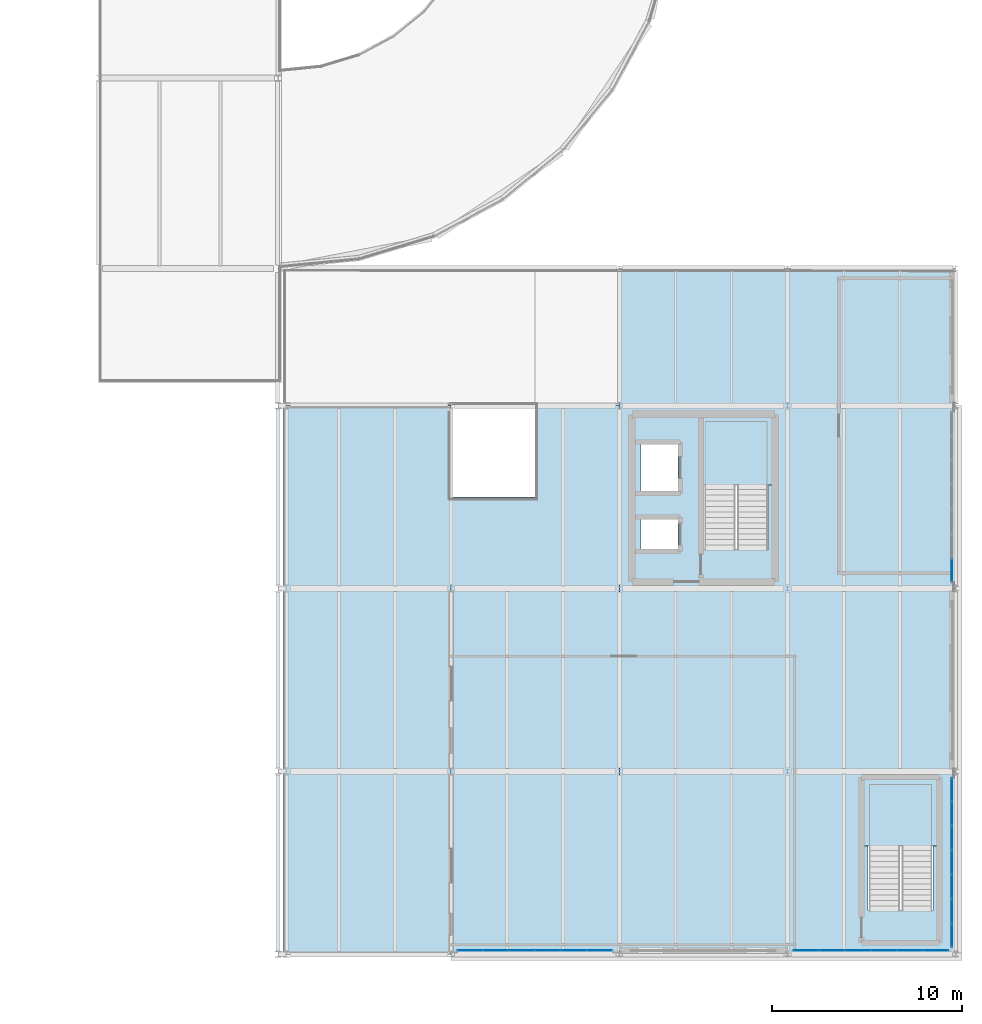
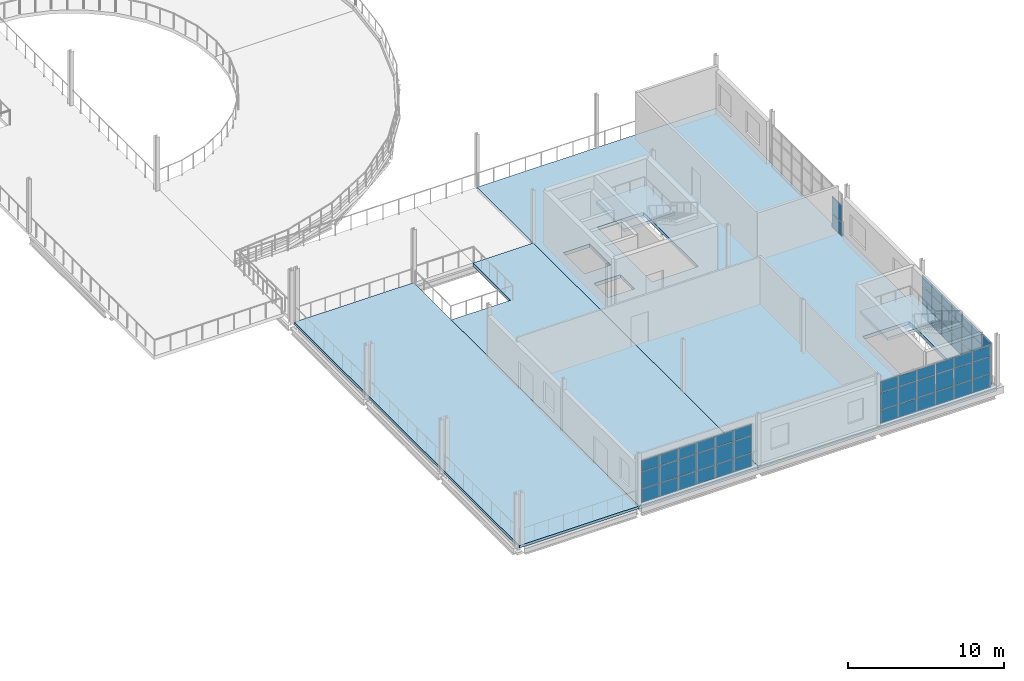
# One storey, part 38 of 58: 59 plates, 5 slabs, 6 elements without a shape of their own.
"""IFC4 building model written with IfcOpenShell, lengths in metres."""

from ifc_helpers import new_model, si_unit, direction, frame, origin, origin_2d, place, context, subcontext, project, spatial, polyline, rectangle, outline, extrude, material, layer, layer_set, type_object, element, aggregate, save


model = new_model("IFC4")

# Units and contexts
model_context = context("Model", 3, precision=1e-05, world=origin(), true_north=direction((0.0, 1.0)))
body_context = subcontext(model_context, "Body", "Model", "MODEL_VIEW")
ifc_project = project(units=[si_unit("LENGTHUNIT", "METRE"), si_unit("AREAUNIT", "SQUARE_METRE"), si_unit("VOLUMEUNIT", "CUBIC_METRE"), si_unit("PLANEANGLEUNIT", "RADIAN"), si_unit("MASSUNIT", "GRAM", prefix="KILO")], contexts=[model_context])

# Site, building, storey
site_placement = place(None, origin())
site = spatial("IfcSite", under=ifc_project, at=site_placement, CompositionType="ELEMENT")
building_placement = place(site_placement, origin())
building = spatial("IfcBuilding", under=site, at=building_placement, Name="Yeouljin Market Hall", CompositionType="ELEMENT")
storey_placement = place(building_placement, frame((0.0, 0.0, 10.800048828125)))
storey = spatial("IfcBuildingStorey", under=building, at=storey_placement, Name="L02", CompositionType="ELEMENT", Elevation=10.800048828125)

# Curtain wall, plates
ifc_material_1 = material(Name="Thermally Broken Aluminium", Category="aluminium")
ifc_layer_1 = layer(ifc_material_1, 0.14990234375)
ifc_layer_set_1 = layer_set([ifc_layer_1], Name="Thermally Broken Aluminium")
curtain_wall_type = type_object("IfcCurtainWallType", Name="CW_AcademyRibbon_System", PredefinedType="USERDEFINED", material=ifc_layer_set_1)
curtain_wall_1_placement = place(storey_placement, origin())
curtain_wall_1 = element("IfcCurtainWall", 1, at=curtain_wall_1_placement, inside=storey, type_object=curtain_wall_type, Name="Curtain wall CW-L02-W08", ObjectType="CURTAIN WALL", PredefinedType="USERDEFINED")
ifc_material_2 = material(Name="Anodised Bronze Spandrel Panel")
ifc_layer_2 = layer(ifc_material_2, 0.0439453125)
ifc_layer_set_2 = layer_set([ifc_layer_2], Name="Anodised Bronze Spandrel Panel")
plate_type_1 = type_object("IfcPlateType", Name="CWPanel_BronzeSpandrel_44", PredefinedType="CURTAIN_PANEL", material=ifc_layer_set_2)
plate_1_placement = place(storey_placement, frame((175.354736328125, 0.199951171875, 0.0478515625), z_axis=(0.0, 0.0, 1.0), x_axis=(-1.0, 0.0, 0.0)))
plate_1 = element("IfcPlate", 2, at=plate_1_placement, type_object=plate_type_1, Name="CW-05 panel 1.1", PredefinedType="CURTAIN_PANEL", context=body_context, shape_type="SweptSolid", body=[
    extrude(rectangle(XDim=1.294677734375, YDim=0.0439453125, at=origin_2d()), origin(), (0.0, 0.0, 1.0), 1.028076171875),
])
plate_2_placement = place(storey_placement, frame((175.354736328125, 0.199951171875, 1.1240234375), z_axis=(0.0, 0.0, 1.0), x_axis=(-1.0, 0.0, 0.0)))
plate_2 = element("IfcPlate", 3, at=plate_2_placement, type_object=plate_type_1, Name="CW-05 panel 1.2", PredefinedType="CURTAIN_PANEL", context=body_context, shape_type="SweptSolid", body=[
    extrude(rectangle(XDim=1.294677734375, YDim=0.0439453125, at=origin_2d()), origin(), (0.0, 0.0, 1.0), 1.302001953125),
])
plate_3_placement = place(storey_placement, frame((175.354736328125, 0.199951171875, 2.47412109375), z_axis=(0.0, 0.0, 1.0), x_axis=(-1.0, 0.0, 0.0)))
plate_3 = element("IfcPlate", 4, at=plate_3_placement, type_object=plate_type_1, Name="CW-05 panel 1.3", PredefinedType="CURTAIN_PANEL", context=body_context, shape_type="SweptSolid", body=[
    extrude(rectangle(XDim=1.294677734375, YDim=0.0439453125, at=origin_2d()), origin(), (0.0, 0.0, 1.0), 0.827880859375),
])
plate_4_placement = place(storey_placement, frame((174.0, 0.199951171875, 0.0478515625), z_axis=(0.0, 0.0, 1.0), x_axis=(-1.0, 0.0, 0.0)))
plate_4 = element("IfcPlate", 5, at=plate_4_placement, type_object=plate_type_1, Name="CW-05 panel 2.1", PredefinedType="CURTAIN_PANEL", context=body_context, shape_type="SweptSolid", body=[
    extrude(rectangle(XDim=1.318603515625, YDim=0.0439453125, at=origin_2d()), origin(), (0.0, 0.0, 1.0), 1.028076171875),
])
plate_5_placement = place(storey_placement, frame((174.0, 0.199951171875, 1.1240234375), z_axis=(0.0, 0.0, 1.0), x_axis=(-1.0, 0.0, 0.0)))
plate_5 = element("IfcPlate", 6, at=plate_5_placement, type_object=plate_type_1, Name="CW-05 panel 2.2", PredefinedType="CURTAIN_PANEL", context=body_context, shape_type="SweptSolid", body=[
    extrude(rectangle(XDim=1.318603515625, YDim=0.0439453125, at=origin_2d()), origin(), (0.0, 0.0, 1.0), 1.302001953125),
])
plate_6_placement = place(storey_placement, frame((174.0, 0.199951171875, 2.47412109375), z_axis=(0.0, 0.0, 1.0), x_axis=(-1.0, 0.0, 0.0)))
plate_6 = element("IfcPlate", 7, at=plate_6_placement, type_object=plate_type_1, Name="CW-05 panel 2.3", PredefinedType="CURTAIN_PANEL", context=body_context, shape_type="SweptSolid", body=[
    extrude(rectangle(XDim=1.318603515625, YDim=0.0439453125, at=origin_2d()), origin(), (0.0, 0.0, 1.0), 0.827880859375),
])
plate_7_placement = place(storey_placement, frame((172.63330078125, 0.199951171875, 0.0478515625), z_axis=(0.0, 0.0, 1.0), x_axis=(-1.0, 0.0, 0.0)))
plate_7 = element("IfcPlate", 8, at=plate_7_placement, type_object=plate_type_1, Name="CW-05 panel 3.1", PredefinedType="CURTAIN_PANEL", context=body_context, shape_type="SweptSolid", body=[
    extrude(rectangle(XDim=1.318603515625, YDim=0.0439453125, at=origin_2d()), origin(), (0.0, 0.0, 1.0), 1.028076171875),
])
plate_8_placement = place(storey_placement, frame((172.63330078125, 0.199951171875, 1.1240234375), z_axis=(0.0, 0.0, 1.0), x_axis=(-1.0, 0.0, 0.0)))
plate_8 = element("IfcPlate", 9, at=plate_8_placement, type_object=plate_type_1, Name="CW-05 panel 3.2", PredefinedType="CURTAIN_PANEL", context=body_context, shape_type="SweptSolid", body=[
    extrude(rectangle(XDim=1.318603515625, YDim=0.0439453125, at=origin_2d()), origin(), (0.0, 0.0, 1.0), 1.302001953125),
])
plate_9_placement = place(storey_placement, frame((172.63330078125, 0.199951171875, 2.47412109375), z_axis=(0.0, 0.0, 1.0), x_axis=(-1.0, 0.0, 0.0)))
plate_9 = element("IfcPlate", 10, at=plate_9_placement, type_object=plate_type_1, Name="CW-05 panel 3.3", PredefinedType="CURTAIN_PANEL", context=body_context, shape_type="SweptSolid", body=[
    extrude(rectangle(XDim=1.318603515625, YDim=0.0439453125, at=origin_2d()), origin(), (0.0, 0.0, 1.0), 0.827880859375),
])
plate_10_placement = place(storey_placement, frame((171.2666015625, 0.199951171875, 0.0478515625), z_axis=(0.0, 0.0, 1.0), x_axis=(-1.0, 0.0, 0.0)))
plate_10 = element("IfcPlate", 11, at=plate_10_placement, type_object=plate_type_1, Name="CW-05 panel 4.1", PredefinedType="CURTAIN_PANEL", context=body_context, shape_type="SweptSolid", body=[
    extrude(rectangle(XDim=1.318603515625, YDim=0.0439453125, at=origin_2d()), origin(), (0.0, 0.0, 1.0), 1.028076171875),
])
plate_11_placement = place(storey_placement, frame((171.2666015625, 0.199951171875, 1.1240234375), z_axis=(0.0, 0.0, 1.0), x_axis=(-1.0, 0.0, 0.0)))
plate_11 = element("IfcPlate", 12, at=plate_11_placement, type_object=plate_type_1, Name="CW-05 panel 4.2", PredefinedType="CURTAIN_PANEL", context=body_context, shape_type="SweptSolid", body=[
    extrude(rectangle(XDim=1.318603515625, YDim=0.0439453125, at=origin_2d()), origin(), (0.0, 0.0, 1.0), 1.302001953125),
])
plate_12_placement = place(storey_placement, frame((171.2666015625, 0.199951171875, 2.47412109375), z_axis=(0.0, 0.0, 1.0), x_axis=(-1.0, 0.0, 0.0)))
plate_12 = element("IfcPlate", 13, at=plate_12_placement, type_object=plate_type_1, Name="CW-05 panel 4.3", PredefinedType="CURTAIN_PANEL", context=body_context, shape_type="SweptSolid", body=[
    extrude(rectangle(XDim=1.318603515625, YDim=0.0439453125, at=origin_2d()), origin(), (0.0, 0.0, 1.0), 0.827880859375),
])
plate_13_placement = place(storey_placement, frame((169.89990234375, 0.199951171875, 0.0478515625), z_axis=(0.0, 0.0, 1.0), x_axis=(-1.0, 0.0, 0.0)))
plate_13 = element("IfcPlate", 14, at=plate_13_placement, type_object=plate_type_1, Name="CW-05 panel 5.1", PredefinedType="CURTAIN_PANEL", context=body_context, shape_type="SweptSolid", body=[
    extrude(rectangle(XDim=1.318603515625, YDim=0.0439453125, at=origin_2d()), origin(), (0.0, 0.0, 1.0), 1.028076171875),
])
plate_14_placement = place(storey_placement, frame((169.89990234375, 0.199951171875, 1.1240234375), z_axis=(0.0, 0.0, 1.0), x_axis=(-1.0, 0.0, 0.0)))
plate_14 = element("IfcPlate", 15, at=plate_14_placement, type_object=plate_type_1, Name="CW-05 panel 5.2", PredefinedType="CURTAIN_PANEL", context=body_context, shape_type="SweptSolid", body=[
    extrude(rectangle(XDim=1.318603515625, YDim=0.0439453125, at=origin_2d()), origin(), (0.0, 0.0, 1.0), 1.302001953125),
])
plate_15_placement = place(storey_placement, frame((169.89990234375, 0.199951171875, 2.47412109375), z_axis=(0.0, 0.0, 1.0), x_axis=(-1.0, 0.0, 0.0)))
plate_15 = element("IfcPlate", 16, at=plate_15_placement, type_object=plate_type_1, Name="CW-05 panel 5.3", PredefinedType="CURTAIN_PANEL", context=body_context, shape_type="SweptSolid", body=[
    extrude(rectangle(XDim=1.318603515625, YDim=0.0439453125, at=origin_2d()), origin(), (0.0, 0.0, 1.0), 0.827880859375),
])
plate_16_placement = place(storey_placement, frame((168.54541015625, 0.199951171875, 0.0478515625), z_axis=(0.0, 0.0, 1.0), x_axis=(-1.0, 0.0, 0.0)))
plate_16 = element("IfcPlate", 17, at=plate_16_placement, type_object=plate_type_1, Name="CW-05 panel 6.1", PredefinedType="CURTAIN_PANEL", context=body_context, shape_type="SweptSolid", body=[
    extrude(rectangle(XDim=1.294677734375, YDim=0.0439453125, at=origin_2d()), origin(), (0.0, 0.0, 1.0), 1.028076171875),
])
plate_17_placement = place(storey_placement, frame((168.54541015625, 0.199951171875, 1.1240234375), z_axis=(0.0, 0.0, 1.0), x_axis=(-1.0, 0.0, 0.0)))
plate_17 = element("IfcPlate", 18, at=plate_17_placement, type_object=plate_type_1, Name="CW-05 panel 6.2", PredefinedType="CURTAIN_PANEL", context=body_context, shape_type="SweptSolid", body=[
    extrude(rectangle(XDim=1.294677734375, YDim=0.0439453125, at=origin_2d()), origin(), (0.0, 0.0, 1.0), 1.302001953125),
])
plate_18_placement = place(storey_placement, frame((168.54541015625, 0.199951171875, 2.47412109375), z_axis=(0.0, 0.0, 1.0), x_axis=(-1.0, 0.0, 0.0)))
plate_18 = element("IfcPlate", 19, at=plate_18_placement, type_object=plate_type_1, Name="CW-05 panel 6.3", PredefinedType="CURTAIN_PANEL", context=body_context, shape_type="SweptSolid", body=[
    extrude(rectangle(XDim=1.294677734375, YDim=0.0439453125, at=origin_2d()), origin(), (0.0, 0.0, 1.0), 0.827880859375),
])
aggregate(curtain_wall_1, [plate_1, plate_2, plate_3, plate_4, plate_5, plate_6, plate_7, plate_8, plate_9, plate_10, plate_11, plate_12, plate_13, plate_14, plate_15, plate_16, plate_17, plate_18])

curtain_wall_2_placement = place(storey_placement, origin())
curtain_wall_2 = element("IfcCurtainWall", 20, at=curtain_wall_2_placement, inside=storey, type_object=curtain_wall_type, Name="Curtain wall CW-L02-W12", ObjectType="CURTAIN WALL", PredefinedType="USERDEFINED")
plate_19_placement = place(storey_placement, frame((176.199951171875, 20.15478515625, 0.0478515625), z_axis=(0.0, 0.0, 1.0), x_axis=(0.0, -1.0, 0.0)))
plate_19 = element("IfcPlate", 21, at=plate_19_placement, type_object=plate_type_1, Name="CW-05 panel 7.1", PredefinedType="CURTAIN_PANEL", context=body_context, shape_type="SweptSolid", body=[
    extrude(rectangle(XDim=1.213623046875, YDim=0.0439453125, at=origin_2d()), origin(), (0.0, 0.0, 1.0), 1.028076171875),
])
plate_20_placement = place(storey_placement, frame((176.199951171875, 20.15478515625, 1.1240234375), z_axis=(0.0, 0.0, 1.0), x_axis=(0.0, -1.0, 0.0)))
plate_20 = element("IfcPlate", 22, at=plate_20_placement, type_object=plate_type_1, Name="CW-05 panel 7.2", PredefinedType="CURTAIN_PANEL", context=body_context, shape_type="SweptSolid", body=[
    extrude(rectangle(XDim=1.213623046875, YDim=0.0439453125, at=origin_2d()), origin(), (0.0, 0.0, 1.0), 1.302001953125),
])
aggregate(curtain_wall_2, [plate_19, plate_20])

curtain_wall_3_placement = place(storey_placement, origin())
curtain_wall_3 = element("IfcCurtainWall", 23, at=curtain_wall_3_placement, inside=storey, type_object=curtain_wall_type, Name="Curtain wall CW-L02-W10", ObjectType="CURTAIN WALL", PredefinedType="USERDEFINED")
ifc_material_3 = material(Name="Low-E Insulated Glass", Category="glass")
ifc_layer_3 = layer(ifc_material_3, 0.028076171875)
ifc_layer_set_3 = layer_set([ifc_layer_3], Name="Low-E Insulated Glass")
plate_type_2 = type_object("IfcPlateType", Name="CWPanel_LowE_28", PredefinedType="CURTAIN_PANEL", material=ifc_layer_set_3)
plate_21_placement = place(storey_placement, frame((157.70458984375, 0.199951171875, 0.0478515625), z_axis=(0.0, 0.0, 1.0), x_axis=(-1.0, 0.0, 0.0)))
plate_21 = element("IfcPlate", 24, at=plate_21_placement, type_object=plate_type_2, Name="CW-05 panel 1.1", PredefinedType="CURTAIN_PANEL", context=body_context, shape_type="SweptSolid", body=[
    extrude(rectangle(XDim=1.294677734375, YDim=0.028076171875, at=origin_2d()), origin(), (0.0, 0.0, 1.0), 1.028076171875),
])
plate_22_placement = place(storey_placement, frame((157.70458984375, 0.199951171875, 1.1240234375), z_axis=(0.0, 0.0, 1.0), x_axis=(-1.0, 0.0, 0.0)))
plate_22 = element("IfcPlate", 25, at=plate_22_placement, type_object=plate_type_2, Name="CW-05 panel 1.2", PredefinedType="CURTAIN_PANEL", context=body_context, shape_type="SweptSolid", body=[
    extrude(rectangle(XDim=1.294677734375, YDim=0.028076171875, at=origin_2d()), origin(), (0.0, 0.0, 1.0), 1.302001953125),
])
plate_23_placement = place(storey_placement, frame((157.70458984375, 0.199951171875, 2.47412109375), z_axis=(0.0, 0.0, 1.0), x_axis=(-1.0, 0.0, 0.0)))
plate_23 = element("IfcPlate", 26, at=plate_23_placement, type_object=plate_type_2, Name="CW-05 panel 1.3", PredefinedType="CURTAIN_PANEL", context=body_context, shape_type="SweptSolid", body=[
    extrude(rectangle(XDim=1.294677734375, YDim=0.028076171875, at=origin_2d()), origin(), (0.0, 0.0, 1.0), 0.827880859375),
])
plate_24_placement = place(storey_placement, frame((156.35009765625, 0.199951171875, 0.0478515625), z_axis=(0.0, 0.0, 1.0), x_axis=(-1.0, 0.0, 0.0)))
plate_24 = element("IfcPlate", 27, at=plate_24_placement, type_object=plate_type_2, Name="CW-05 panel 2.1", PredefinedType="CURTAIN_PANEL", context=body_context, shape_type="SweptSolid", body=[
    extrude(rectangle(XDim=1.318603515625, YDim=0.028076171875, at=origin_2d()), origin(), (0.0, 0.0, 1.0), 1.028076171875),
])
plate_25_placement = place(storey_placement, frame((156.35009765625, 0.199951171875, 1.1240234375), z_axis=(0.0, 0.0, 1.0), x_axis=(-1.0, 0.0, 0.0)))
plate_25 = element("IfcPlate", 28, at=plate_25_placement, type_object=plate_type_2, Name="CW-05 panel 2.2", PredefinedType="CURTAIN_PANEL", context=body_context, shape_type="SweptSolid", body=[
    extrude(rectangle(XDim=1.318603515625, YDim=0.028076171875, at=origin_2d()), origin(), (0.0, 0.0, 1.0), 1.302001953125),
])
plate_26_placement = place(storey_placement, frame((156.35009765625, 0.199951171875, 2.47412109375), z_axis=(0.0, 0.0, 1.0), x_axis=(-1.0, 0.0, 0.0)))
plate_26 = element("IfcPlate", 29, at=plate_26_placement, type_object=plate_type_2, Name="CW-05 panel 2.3", PredefinedType="CURTAIN_PANEL", context=body_context, shape_type="SweptSolid", body=[
    extrude(rectangle(XDim=1.318603515625, YDim=0.028076171875, at=origin_2d()), origin(), (0.0, 0.0, 1.0), 0.827880859375),
])
plate_27_placement = place(storey_placement, frame((154.9833984375, 0.199951171875, 0.0478515625), z_axis=(0.0, 0.0, 1.0), x_axis=(-1.0, 0.0, 0.0)))
plate_27 = element("IfcPlate", 30, at=plate_27_placement, type_object=plate_type_2, Name="CW-05 panel 3.1", PredefinedType="CURTAIN_PANEL", context=body_context, shape_type="SweptSolid", body=[
    extrude(rectangle(XDim=1.318603515625, YDim=0.028076171875, at=origin_2d()), origin(), (0.0, 0.0, 1.0), 1.028076171875),
])
plate_28_placement = place(storey_placement, frame((154.9833984375, 0.199951171875, 1.1240234375), z_axis=(0.0, 0.0, 1.0), x_axis=(-1.0, 0.0, 0.0)))
plate_28 = element("IfcPlate", 31, at=plate_28_placement, type_object=plate_type_2, Name="CW-05 panel 3.2", PredefinedType="CURTAIN_PANEL", context=body_context, shape_type="SweptSolid", body=[
    extrude(rectangle(XDim=1.318603515625, YDim=0.028076171875, at=origin_2d()), origin(), (0.0, 0.0, 1.0), 1.302001953125),
])
plate_29_placement = place(storey_placement, frame((154.9833984375, 0.199951171875, 2.47412109375), z_axis=(0.0, 0.0, 1.0), x_axis=(-1.0, 0.0, 0.0)))
plate_29 = element("IfcPlate", 32, at=plate_29_placement, type_object=plate_type_2, Name="CW-05 panel 3.3", PredefinedType="CURTAIN_PANEL", context=body_context, shape_type="SweptSolid", body=[
    extrude(rectangle(XDim=1.318603515625, YDim=0.028076171875, at=origin_2d()), origin(), (0.0, 0.0, 1.0), 0.827880859375),
])
plate_30_placement = place(storey_placement, frame((153.61669921875, 0.199951171875, 0.0478515625), z_axis=(0.0, 0.0, 1.0), x_axis=(-1.0, 0.0, 0.0)))
plate_30 = element("IfcPlate", 33, at=plate_30_placement, type_object=plate_type_2, Name="CW-05 panel 4.1", PredefinedType="CURTAIN_PANEL", context=body_context, shape_type="SweptSolid", body=[
    extrude(rectangle(XDim=1.318603515625, YDim=0.028076171875, at=origin_2d()), origin(), (0.0, 0.0, 1.0), 1.028076171875),
])
plate_31_placement = place(storey_placement, frame((153.61669921875, 0.199951171875, 1.1240234375), z_axis=(0.0, 0.0, 1.0), x_axis=(-1.0, 0.0, 0.0)))
plate_31 = element("IfcPlate", 34, at=plate_31_placement, type_object=plate_type_2, Name="CW-05 panel 4.2", PredefinedType="CURTAIN_PANEL", context=body_context, shape_type="SweptSolid", body=[
    extrude(rectangle(XDim=1.318603515625, YDim=0.028076171875, at=origin_2d()), origin(), (0.0, 0.0, 1.0), 1.302001953125),
])
plate_32_placement = place(storey_placement, frame((153.61669921875, 0.199951171875, 2.47412109375), z_axis=(0.0, 0.0, 1.0), x_axis=(-1.0, 0.0, 0.0)))
plate_32 = element("IfcPlate", 35, at=plate_32_placement, type_object=plate_type_2, Name="CW-05 panel 4.3", PredefinedType="CURTAIN_PANEL", context=body_context, shape_type="SweptSolid", body=[
    extrude(rectangle(XDim=1.318603515625, YDim=0.028076171875, at=origin_2d()), origin(), (0.0, 0.0, 1.0), 0.827880859375),
])
plate_33_placement = place(storey_placement, frame((152.25, 0.199951171875, 0.0478515625), z_axis=(0.0, 0.0, 1.0), x_axis=(-1.0, 0.0, 0.0)))
plate_33 = element("IfcPlate", 36, at=plate_33_placement, type_object=plate_type_2, Name="CW-05 panel 5.1", PredefinedType="CURTAIN_PANEL", context=body_context, shape_type="SweptSolid", body=[
    extrude(rectangle(XDim=1.318603515625, YDim=0.028076171875, at=origin_2d()), origin(), (0.0, 0.0, 1.0), 1.028076171875),
])
plate_34_placement = place(storey_placement, frame((152.25, 0.199951171875, 1.1240234375), z_axis=(0.0, 0.0, 1.0), x_axis=(-1.0, 0.0, 0.0)))
plate_34 = element("IfcPlate", 37, at=plate_34_placement, type_object=plate_type_2, Name="CW-05 panel 5.2", PredefinedType="CURTAIN_PANEL", context=body_context, shape_type="SweptSolid", body=[
    extrude(rectangle(XDim=1.318603515625, YDim=0.028076171875, at=origin_2d()), origin(), (0.0, 0.0, 1.0), 1.302001953125),
])
plate_35_placement = place(storey_placement, frame((152.25, 0.199951171875, 2.47412109375), z_axis=(0.0, 0.0, 1.0), x_axis=(-1.0, 0.0, 0.0)))
plate_35 = element("IfcPlate", 38, at=plate_35_placement, type_object=plate_type_2, Name="CW-05 panel 5.3", PredefinedType="CURTAIN_PANEL", context=body_context, shape_type="SweptSolid", body=[
    extrude(rectangle(XDim=1.318603515625, YDim=0.028076171875, at=origin_2d()), origin(), (0.0, 0.0, 1.0), 0.827880859375),
])
plate_36_placement = place(storey_placement, frame((150.895263671875, 0.199951171875, 0.0478515625), z_axis=(0.0, 0.0, 1.0), x_axis=(-1.0, 0.0, 0.0)))
plate_36 = element("IfcPlate", 39, at=plate_36_placement, type_object=plate_type_2, Name="CW-05 panel 6.1", PredefinedType="CURTAIN_PANEL", context=body_context, shape_type="SweptSolid", body=[
    extrude(rectangle(XDim=1.294677734375, YDim=0.028076171875, at=origin_2d()), origin(), (0.0, 0.0, 1.0), 1.028076171875),
])
plate_37_placement = place(storey_placement, frame((150.895263671875, 0.199951171875, 1.1240234375), z_axis=(0.0, 0.0, 1.0), x_axis=(-1.0, 0.0, 0.0)))
plate_37 = element("IfcPlate", 40, at=plate_37_placement, type_object=plate_type_2, Name="CW-05 panel 6.2", PredefinedType="CURTAIN_PANEL", context=body_context, shape_type="SweptSolid", body=[
    extrude(rectangle(XDim=1.294677734375, YDim=0.028076171875, at=origin_2d()), origin(), (0.0, 0.0, 1.0), 1.302001953125),
])
plate_38_placement = place(storey_placement, frame((150.895263671875, 0.199951171875, 2.47412109375), z_axis=(0.0, 0.0, 1.0), x_axis=(-1.0, 0.0, 0.0)))
plate_38 = element("IfcPlate", 41, at=plate_38_placement, type_object=plate_type_2, Name="CW-05 panel 6.3", PredefinedType="CURTAIN_PANEL", context=body_context, shape_type="SweptSolid", body=[
    extrude(rectangle(XDim=1.294677734375, YDim=0.028076171875, at=origin_2d()), origin(), (0.0, 0.0, 1.0), 0.827880859375),
])
aggregate(curtain_wall_3, [plate_21, plate_22, plate_23, plate_24, plate_25, plate_26, plate_27, plate_28, plate_29, plate_30, plate_31, plate_32, plate_33, plate_34, plate_35, plate_36, plate_37, plate_38])

curtain_wall_4_placement = place(storey_placement, origin())
curtain_wall_4 = element("IfcCurtainWall", 42, at=curtain_wall_4_placement, inside=storey, type_object=curtain_wall_type, Name="Curtain wall CW-L02-W14", ObjectType="CURTAIN WALL", PredefinedType="USERDEFINED")
plate_39_placement = place(storey_placement, frame((176.199951171875, 8.648681640625, 0.0478515625), z_axis=(0.0, 0.0, 1.0), x_axis=(0.0, -1.0, 0.0)))
plate_39 = element("IfcPlate", 43, at=plate_39_placement, type_object=plate_type_2, Name="CW-05 panel 1.1", PredefinedType="CURTAIN_PANEL", context=body_context, shape_type="SweptSolid", body=[
    extrude(rectangle(XDim=1.20654296875, YDim=0.028076171875, at=origin_2d()), origin(), (0.0, 0.0, 1.0), 1.028076171875),
])
plate_40_placement = place(storey_placement, frame((176.199951171875, 8.648681640625, 1.1240234375), z_axis=(0.0, 0.0, 1.0), x_axis=(0.0, -1.0, 0.0)))
plate_40 = element("IfcPlate", 44, at=plate_40_placement, type_object=plate_type_2, Name="CW-05 panel 1.2", PredefinedType="CURTAIN_PANEL", context=body_context, shape_type="SweptSolid", body=[
    extrude(rectangle(XDim=1.20654296875, YDim=0.028076171875, at=origin_2d()), origin(), (0.0, 0.0, 1.0), 1.302001953125),
])
plate_41_placement = place(storey_placement, frame((176.199951171875, 8.648681640625, 2.47412109375), z_axis=(0.0, 0.0, 1.0), x_axis=(0.0, -1.0, 0.0)))
plate_41 = element("IfcPlate", 45, at=plate_41_placement, type_object=plate_type_2, Name="CW-05 panel 1.3", PredefinedType="CURTAIN_PANEL", context=body_context, shape_type="SweptSolid", body=[
    extrude(rectangle(XDim=1.20654296875, YDim=0.028076171875, at=origin_2d()), origin(), (0.0, 0.0, 1.0), 0.827880859375),
])
plate_42_placement = place(storey_placement, frame((176.199951171875, 7.382080078125, 0.0478515625), z_axis=(0.0, 0.0, 1.0), x_axis=(0.0, -1.0, 0.0)))
plate_42 = element("IfcPlate", 46, at=plate_42_placement, type_object=plate_type_2, Name="CW-05 panel 2.1", PredefinedType="CURTAIN_PANEL", context=body_context, shape_type="SweptSolid", body=[
    extrude(rectangle(XDim=1.23046875, YDim=0.028076171875, at=origin_2d()), origin(), (0.0, 0.0, 1.0), 1.028076171875),
])
plate_43_placement = place(storey_placement, frame((176.199951171875, 7.382080078125, 1.1240234375), z_axis=(0.0, 0.0, 1.0), x_axis=(0.0, -1.0, 0.0)))
plate_43 = element("IfcPlate", 47, at=plate_43_placement, type_object=plate_type_2, Name="CW-05 panel 2.2", PredefinedType="CURTAIN_PANEL", context=body_context, shape_type="SweptSolid", body=[
    extrude(rectangle(XDim=1.23046875, YDim=0.028076171875, at=origin_2d()), origin(), (0.0, 0.0, 1.0), 1.302001953125),
])
plate_44_placement = place(storey_placement, frame((176.199951171875, 7.382080078125, 2.47412109375), z_axis=(0.0, 0.0, 1.0), x_axis=(0.0, -1.0, 0.0)))
plate_44 = element("IfcPlate", 48, at=plate_44_placement, type_object=plate_type_2, Name="CW-05 panel 2.3", PredefinedType="CURTAIN_PANEL", context=body_context, shape_type="SweptSolid", body=[
    extrude(rectangle(XDim=1.23046875, YDim=0.028076171875, at=origin_2d()), origin(), (0.0, 0.0, 1.0), 0.827880859375),
])
plate_45_placement = place(storey_placement, frame((176.199951171875, 6.103515625, 0.0478515625), z_axis=(0.0, 0.0, 1.0), x_axis=(0.0, -1.0, 0.0)))
plate_45 = element("IfcPlate", 49, at=plate_45_placement, type_object=plate_type_2, Name="CW-05 panel 3.1", PredefinedType="CURTAIN_PANEL", context=body_context, shape_type="SweptSolid", body=[
    extrude(rectangle(XDim=1.23046875, YDim=0.028076171875, at=origin_2d()), origin(), (0.0, 0.0, 1.0), 1.028076171875),
])
plate_46_placement = place(storey_placement, frame((176.199951171875, 6.103515625, 1.1240234375), z_axis=(0.0, 0.0, 1.0), x_axis=(0.0, -1.0, 0.0)))
plate_46 = element("IfcPlate", 50, at=plate_46_placement, type_object=plate_type_2, Name="CW-05 panel 3.2", PredefinedType="CURTAIN_PANEL", context=body_context, shape_type="SweptSolid", body=[
    extrude(rectangle(XDim=1.23046875, YDim=0.028076171875, at=origin_2d()), origin(), (0.0, 0.0, 1.0), 1.302001953125),
])
plate_47_placement = place(storey_placement, frame((176.199951171875, 6.103515625, 2.47412109375), z_axis=(0.0, 0.0, 1.0), x_axis=(0.0, -1.0, 0.0)))
plate_47 = element("IfcPlate", 51, at=plate_47_placement, type_object=plate_type_2, Name="CW-05 panel 3.3", PredefinedType="CURTAIN_PANEL", context=body_context, shape_type="SweptSolid", body=[
    extrude(rectangle(XDim=1.23046875, YDim=0.028076171875, at=origin_2d()), origin(), (0.0, 0.0, 1.0), 0.827880859375),
])
plate_48_placement = place(storey_placement, frame((176.199951171875, 4.824951171875, 0.0478515625), z_axis=(0.0, 0.0, 1.0), x_axis=(0.0, -1.0, 0.0)))
plate_48 = element("IfcPlate", 52, at=plate_48_placement, type_object=plate_type_2, Name="CW-05 panel 4.1", PredefinedType="CURTAIN_PANEL", context=body_context, shape_type="SweptSolid", body=[
    extrude(rectangle(XDim=1.23046875, YDim=0.028076171875, at=origin_2d()), origin(), (0.0, 0.0, 1.0), 1.028076171875),
])
plate_49_placement = place(storey_placement, frame((176.199951171875, 4.824951171875, 1.1240234375), z_axis=(0.0, 0.0, 1.0), x_axis=(0.0, -1.0, 0.0)))
plate_49 = element("IfcPlate", 53, at=plate_49_placement, type_object=plate_type_2, Name="CW-05 panel 4.2", PredefinedType="CURTAIN_PANEL", context=body_context, shape_type="SweptSolid", body=[
    extrude(rectangle(XDim=1.23046875, YDim=0.028076171875, at=origin_2d()), origin(), (0.0, 0.0, 1.0), 1.302001953125),
])
plate_50_placement = place(storey_placement, frame((176.199951171875, 4.824951171875, 2.47412109375), z_axis=(0.0, 0.0, 1.0), x_axis=(0.0, -1.0, 0.0)))
plate_50 = element("IfcPlate", 54, at=plate_50_placement, type_object=plate_type_2, Name="CW-05 panel 4.3", PredefinedType="CURTAIN_PANEL", context=body_context, shape_type="SweptSolid", body=[
    extrude(rectangle(XDim=1.23046875, YDim=0.028076171875, at=origin_2d()), origin(), (0.0, 0.0, 1.0), 0.827880859375),
])
plate_51_placement = place(storey_placement, frame((176.199951171875, 3.54638671875, 0.0478515625), z_axis=(0.0, 0.0, 1.0), x_axis=(0.0, -1.0, 0.0)))
plate_51 = element("IfcPlate", 55, at=plate_51_placement, type_object=plate_type_2, Name="CW-05 panel 5.1", PredefinedType="CURTAIN_PANEL", context=body_context, shape_type="SweptSolid", body=[
    extrude(rectangle(XDim=1.23046875, YDim=0.028076171875, at=origin_2d()), origin(), (0.0, 0.0, 1.0), 1.028076171875),
])
plate_52_placement = place(storey_placement, frame((176.199951171875, 3.54638671875, 1.1240234375), z_axis=(0.0, 0.0, 1.0), x_axis=(0.0, -1.0, 0.0)))
plate_52 = element("IfcPlate", 56, at=plate_52_placement, type_object=plate_type_2, Name="CW-05 panel 5.2", PredefinedType="CURTAIN_PANEL", context=body_context, shape_type="SweptSolid", body=[
    extrude(rectangle(XDim=1.23046875, YDim=0.028076171875, at=origin_2d()), origin(), (0.0, 0.0, 1.0), 1.302001953125),
])
plate_53_placement = place(storey_placement, frame((176.199951171875, 3.54638671875, 2.47412109375), z_axis=(0.0, 0.0, 1.0), x_axis=(0.0, -1.0, 0.0)))
plate_53 = element("IfcPlate", 57, at=plate_53_placement, type_object=plate_type_2, Name="CW-05 panel 5.3", PredefinedType="CURTAIN_PANEL", context=body_context, shape_type="SweptSolid", body=[
    extrude(rectangle(XDim=1.23046875, YDim=0.028076171875, at=origin_2d()), origin(), (0.0, 0.0, 1.0), 0.827880859375),
])
plate_54_placement = place(storey_placement, frame((176.199951171875, 2.267822265625, 0.0478515625), z_axis=(0.0, 0.0, 1.0), x_axis=(0.0, -1.0, 0.0)))
plate_54 = element("IfcPlate", 58, at=plate_54_placement, type_object=plate_type_2, Name="CW-05 panel 6.1", PredefinedType="CURTAIN_PANEL", context=body_context, shape_type="SweptSolid", body=[
    extrude(rectangle(XDim=1.23046875, YDim=0.028076171875, at=origin_2d()), origin(), (0.0, 0.0, 1.0), 1.028076171875),
])
plate_55_placement = place(storey_placement, frame((176.199951171875, 2.267822265625, 1.1240234375), z_axis=(0.0, 0.0, 1.0), x_axis=(0.0, -1.0, 0.0)))
plate_55 = element("IfcPlate", 59, at=plate_55_placement, type_object=plate_type_2, Name="CW-05 panel 6.2", PredefinedType="CURTAIN_PANEL", context=body_context, shape_type="SweptSolid", body=[
    extrude(rectangle(XDim=1.23046875, YDim=0.028076171875, at=origin_2d()), origin(), (0.0, 0.0, 1.0), 1.302001953125),
])
plate_56_placement = place(storey_placement, frame((176.199951171875, 2.267822265625, 2.47412109375), z_axis=(0.0, 0.0, 1.0), x_axis=(0.0, -1.0, 0.0)))
plate_56 = element("IfcPlate", 60, at=plate_56_placement, type_object=plate_type_2, Name="CW-05 panel 6.3", PredefinedType="CURTAIN_PANEL", context=body_context, shape_type="SweptSolid", body=[
    extrude(rectangle(XDim=1.23046875, YDim=0.028076171875, at=origin_2d()), origin(), (0.0, 0.0, 1.0), 0.827880859375),
])
plate_57_placement = place(storey_placement, frame((176.199951171875, 1.001220703125, 0.0478515625), z_axis=(0.0, 0.0, 1.0), x_axis=(0.0, -1.0, 0.0)))
plate_57 = element("IfcPlate", 61, at=plate_57_placement, type_object=plate_type_2, Name="CW-05 panel 7.1", PredefinedType="CURTAIN_PANEL", context=body_context, shape_type="SweptSolid", body=[
    extrude(rectangle(XDim=1.20654296875, YDim=0.028076171875, at=origin_2d()), origin(), (0.0, 0.0, 1.0), 1.028076171875),
])
plate_58_placement = place(storey_placement, frame((176.199951171875, 1.001220703125, 1.1240234375), z_axis=(0.0, 0.0, 1.0), x_axis=(0.0, -1.0, 0.0)))
plate_58 = element("IfcPlate", 62, at=plate_58_placement, type_object=plate_type_2, Name="CW-05 panel 7.2", PredefinedType="CURTAIN_PANEL", context=body_context, shape_type="SweptSolid", body=[
    extrude(rectangle(XDim=1.20654296875, YDim=0.028076171875, at=origin_2d()), origin(), (0.0, 0.0, 1.0), 1.302001953125),
])
plate_59_placement = place(storey_placement, frame((176.199951171875, 1.001220703125, 2.47412109375), z_axis=(0.0, 0.0, 1.0), x_axis=(0.0, -1.0, 0.0)))
plate_59 = element("IfcPlate", 63, at=plate_59_placement, type_object=plate_type_2, Name="CW-05 panel 7.3", PredefinedType="CURTAIN_PANEL", context=body_context, shape_type="SweptSolid", body=[
    extrude(rectangle(XDim=1.20654296875, YDim=0.028076171875, at=origin_2d()), origin(), (0.0, 0.0, 1.0), 0.827880859375),
])
aggregate(curtain_wall_4, [plate_39, plate_40, plate_41, plate_42, plate_43, plate_44, plate_45, plate_46, plate_47, plate_48, plate_49, plate_50, plate_51, plate_52, plate_53, plate_54, plate_55, plate_56, plate_57, plate_58, plate_59])

# Slabs
ifc_material_4 = material(Name="Concrete C30/37", Category="concrete")
ifc_layer_4 = layer(ifc_material_4, 0.199951171875)
ifc_layer_set_4 = layer_set([ifc_layer_4], Name="Concrete C30/37")
slab_type_1 = type_object("IfcSlabType", Name="SLB_TERR_200", PredefinedType="FLOOR", material=ifc_layer_set_4)
slab_1_placement = place(storey_placement, frame((0.0, 0.0, -0.199951171875)))
element("IfcSlab", 64, at=slab_1_placement, inside=storey, type_object=slab_type_1, Name="Structural slab SLB-L02-TR", PredefinedType="FLOOR", context=body_context, shape_type="SweptSolid", body=[
    extrude(outline(polyline([(141.080078125, 0.0), (149.909912109375, 0.0), (149.909912109375, 28.800048828125), (141.080078125, 28.800048828125), (141.080078125, 0.0)])), origin(), (0.0, 0.0, 1.0), 0.199951171875),
])
ifc_material_5 = material(Name="Concrete C30/37", Category="concrete")
ifc_layer_5 = layer(ifc_material_5, 0.264892578125)
ifc_layer_set_5 = layer_set([ifc_layer_5], Name="Concrete C30/37")
slab_type_2 = type_object("IfcSlabType", Name="SLB_WING_220", PredefinedType="FLOOR", material=ifc_layer_set_5)
slab_2_placement = place(storey_placement, frame((0.0, 0.0, -0.26513671875)))
element("IfcSlab", 65, at=slab_2_placement, inside=storey, type_object=slab_type_2, Name="Structural slab SLB-L02-ES1", PredefinedType="FLOOR", context=body_context, shape_type="SweptSolid", body=[
    extrude(outline(polyline([(149.909912109375, 0.0), (158.739990234375, 0.0), (158.739990234375, 28.800048828125), (154.300048828125, 28.800048828125), (154.300048828125, 24.0), (149.909912109375, 24.0), (149.909912109375, 0.0)])), origin(), (0.0, 0.0, 1.0), 0.26513671875),
])
slab_3_placement = place(storey_placement, frame((0.0, 0.0, -0.26513671875)))
element("IfcSlab", 66, at=slab_3_placement, inside=storey, type_object=slab_type_2, Name="Structural slab SLB-L02-ES2", PredefinedType="FLOOR", context=body_context, shape_type="SweptSolid", body=[
    extrude(outline(polyline([(158.739990234375, 0.0), (176.39990234375, 0.0), (176.39990234375, 36.0), (158.739990234375, 36.0), (158.739990234375, 0.0)]), holes=[polyline([(163.169921875, 21.25), (166.570068359375, 21.25), (166.570068359375, 28.27001953125), (163.169921875, 28.27001953125), (163.169921875, 21.25)]), polyline([(171.800048828125, 2.300048828125), (175.199951171875, 2.300048828125), (175.199951171875, 9.219970703125), (171.800048828125, 9.219970703125), (171.800048828125, 2.300048828125)]), polyline([(159.864990234375, 21.14990234375), (161.81494140625, 21.14990234375), (161.81494140625, 22.949951171875), (159.864990234375, 22.949951171875), (159.864990234375, 21.14990234375)]), polyline([(159.864990234375, 24.199951171875), (161.81494140625, 24.199951171875), (161.81494140625, 26.89990234375), (159.864990234375, 26.89990234375), (159.864990234375, 24.199951171875)])]), origin(), (0.0, 0.0, 1.0), 0.26513671875),
])

# Stair, slab
ifc_material_6 = material(Name="Concrete C30/37", Category="concrete")
stair_type_1 = type_object("IfcStairType", Name="Stair_Core_L02_L03", PredefinedType="TWO_STRAIGHT_RUN_STAIR", material=ifc_material_6)
stair_1_placement = place(storey_placement, origin())
stair_1 = element("IfcStair", 67, at=stair_1_placement, inside=storey, type_object=stair_type_1, Name="Enclosed exit stair ST-C3-L02", PredefinedType="TWO_STRAIGHT_RUN_STAIR")
ifc_material_7 = material(Name="Concrete C30/37", Category="concrete")
ifc_layer_6 = layer(ifc_material_7, 0.219970703125)
ifc_layer_set_6 = layer_set([ifc_layer_6], Name="Concrete C30/37")
slab_type_3 = type_object("IfcSlabType", Name="StairLanding_220", PredefinedType="LANDING", material=ifc_layer_set_6)
slab_4_placement = place(storey_placement, frame((0.0, 0.0, 1.8798828125)))
slab_4 = element("IfcSlab", 68, at=slab_4_placement, type_object=slab_type_3, Name="ST-C3-L02 landing 1", PredefinedType="LANDING", context=body_context, shape_type="SweptSolid", body=[
    extrude(outline(polyline([(163.050048828125, 24.639892578125), (166.800048828125, 24.639892578125), (166.800048828125, 28.22998046875), (163.050048828125, 28.22998046875), (163.050048828125, 24.639892578125)])), origin(), (0.0, 0.0, 1.0), 0.219970703125),
])
aggregate(stair_1, [slab_4])

ifc_material_8 = material(Name="Concrete C30/37", Category="concrete")
stair_type_2 = type_object("IfcStairType", Name="Stair_Escape_Wing", PredefinedType="HALF_TURN_STAIR", material=ifc_material_8)
stair_2_placement = place(storey_placement, origin())
stair_2 = element("IfcStair", 69, at=stair_2_placement, inside=storey, type_object=stair_type_2, Name="Enclosed exit stair ST-S8-L02", PredefinedType="HALF_TURN_STAIR")
slab_5_placement = place(storey_placement, frame((0.0, 0.0, 1.8798828125)))
slab_5 = element("IfcSlab", 70, at=slab_5_placement, type_object=slab_type_3, Name="ST-S8-L02 landing 1", PredefinedType="LANDING", context=body_context, shape_type="SweptSolid", body=[
    extrude(outline(polyline([(171.570068359375, 5.68994140625), (175.429931640625, 5.68994140625), (175.429931640625, 9.179931640625), (171.570068359375, 9.179931640625), (171.570068359375, 5.68994140625)])), origin(), (0.0, 0.0, 1.0), 0.219970703125),
])
aggregate(stair_2, [slab_5])

save(model, "model.ifc")
